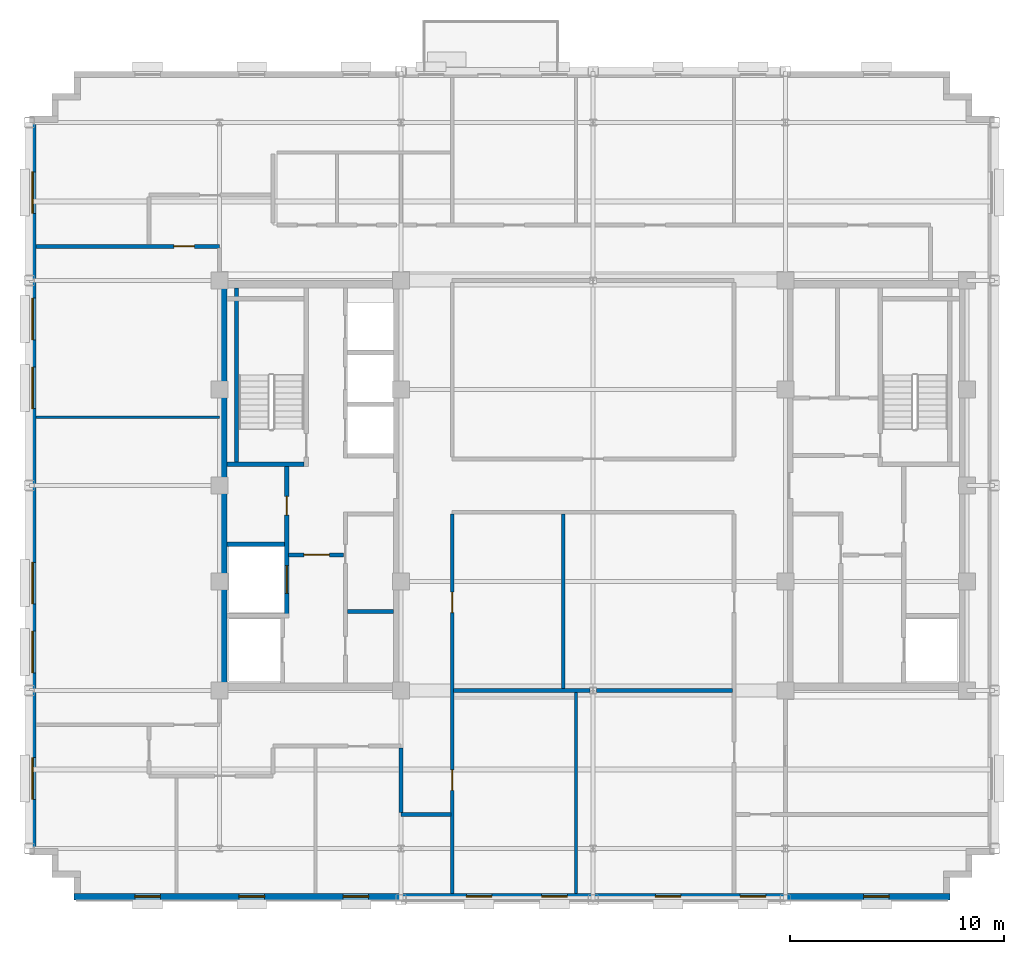
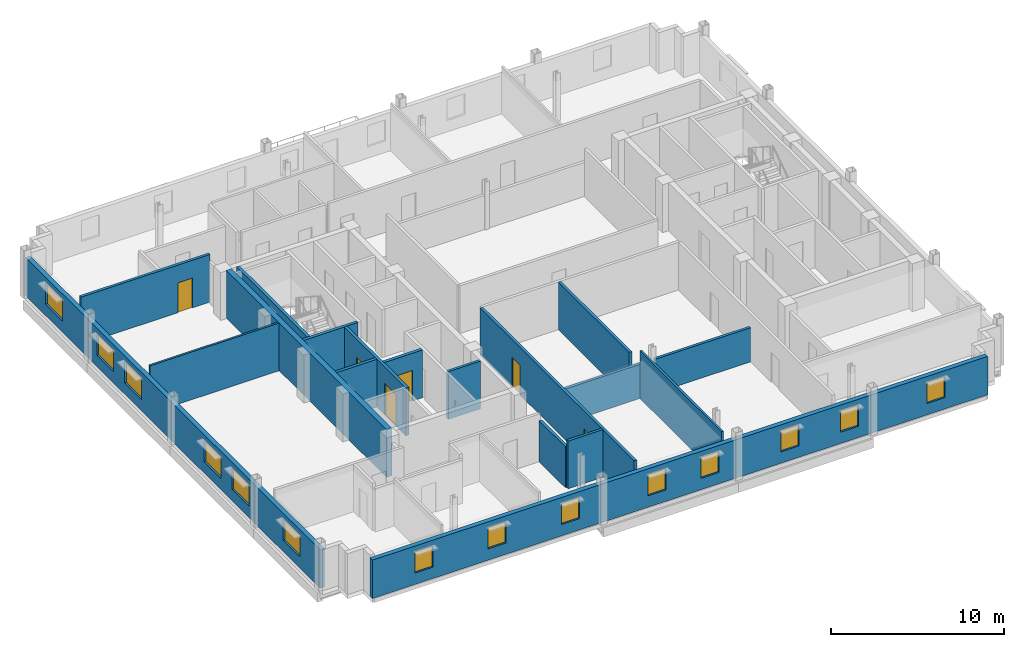
# One storey, part 6 of 14: 18 walls, 14 windows, 6 doors, 20 openings.
"""IFC4 building model written with IfcOpenShell, lengths in metres."""

from ifc_helpers import new_model, si_unit, direction, frame, frame_2d, origin, place, context, subcontext, project, spatial, rectangle, extrude, source, transform, mapped, material, layer, layer_set, type_object, type_shapes, element, fill, save


model = new_model("IFC4")

# Units and contexts
model_context = context("Model", 3, precision=1e-05, world=origin(), true_north=direction((0.0, 1.0)))
body_context = subcontext(model_context, "Body", "Model", "MODEL_VIEW")
ifc_project = project(units=[si_unit("LENGTHUNIT", "METRE"), si_unit("AREAUNIT", "SQUARE_METRE"), si_unit("VOLUMEUNIT", "CUBIC_METRE"), si_unit("PLANEANGLEUNIT", "RADIAN"), si_unit("MASSUNIT", "GRAM", prefix="KILO")], contexts=[model_context])

# Site, building, storey
site_placement = place(None, origin())
site = spatial("IfcSite", under=ifc_project, at=site_placement, CompositionType="ELEMENT")
building_placement = place(site_placement, origin())
building = spatial("IfcBuilding", under=site, at=building_placement, Name="Nuvemarco Arch Tower", CompositionType="ELEMENT")
storey_placement = place(building_placement, frame((0.0, 0.0, 238.35009765625)))
storey = spatial("IfcBuildingStorey", under=building, at=storey_placement, Name="L63", CompositionType="ELEMENT", Elevation=238.35009765625)

# Wall, openings, windows
ifc_material_1 = material(Name="Precast concrete C45/55", Category="concrete")
ifc_layer_1 = layer(ifc_material_1, 0.300048828125, Name="EW-HIGH-300")
ifc_layer_set_1 = layer_set([ifc_layer_1], Name="Precast concrete C45/55")
wall_type_1 = type_object("IfcWallType", Name="EW-HIGH-300", PredefinedType="STANDARD", material=ifc_layer_set_1)
wall_1_placement = place(storey_placement, frame((-24.300048828125, -19.25, 0.0), z_axis=(0.0, 0.0, 1.0), x_axis=(1.0, 0.0, 0.0)))
wall_1 = element("IfcWall", 1, at=wall_1_placement, inside=storey, type_object=wall_type_1, Name="L63 exterior precast facade wall 1", PredefinedType="STANDARD", context=body_context, shape_type="SweptSolid", body=[
    extrude(rectangle(XDim=41.0, YDim=0.300048828125, at=frame_2d((20.5, 0.0))), origin(), (0.0, 0.0, 1.0), 2.704833984375),
])
opening_1_placement = place(wall_1_placement, frame((2.83740234375, 0.0, 0.800048828125)))
opening_1 = element("IfcOpeningElement", 2, at=opening_1_placement, cuts=wall_1, Name="Opening WN-8", PredefinedType="OPENING", context=body_context, shape_type="SweptSolid", body=[
    extrude(rectangle(XDim=1.199951171875, YDim=1.47998046875, at=frame_2d((0.60009765625, 0.739990234375))), frame((0.0, 0.159912109375, 0.0), z_axis=(0.0, -1.0, 0.0), x_axis=(1.0, 0.0, 0.0)), (0.0, 0.0, 1.0), 0.320068359375),
])
opening_2_placement = place(wall_1_placement, frame((7.71240234375, 0.0, 0.800048828125)))
opening_2 = element("IfcOpeningElement", 3, at=opening_2_placement, cuts=wall_1, Name="Opening WN-8", PredefinedType="OPENING", context=body_context, shape_type="SweptSolid", body=[
    extrude(rectangle(XDim=1.199951171875, YDim=1.47998046875, at=frame_2d((0.60009765625, 0.739990234375))), frame((0.0, 0.159912109375, 0.0), z_axis=(0.0, -1.0, 0.0), x_axis=(1.0, 0.0, 0.0)), (0.0, 0.0, 1.0), 0.320068359375),
])
opening_3_placement = place(wall_1_placement, frame((12.58740234375, 0.0, 0.800048828125)))
opening_3 = element("IfcOpeningElement", 4, at=opening_3_placement, cuts=wall_1, Name="Opening WN-8", PredefinedType="OPENING", context=body_context, shape_type="SweptSolid", body=[
    extrude(rectangle(XDim=1.199951171875, YDim=1.47998046875, at=frame_2d((0.60009765625, 0.739990234375))), frame((0.0, 0.159912109375, 0.0), z_axis=(0.0, -1.0, 0.0), x_axis=(1.0, 0.0, 0.0)), (0.0, 0.0, 1.0), 0.320068359375),
])
opening_4_placement = place(wall_1_placement, frame((18.362548828125, 0.0, 0.800048828125)))
opening_4 = element("IfcOpeningElement", 5, at=opening_4_placement, cuts=wall_1, Name="Opening WN-8", PredefinedType="OPENING", context=body_context, shape_type="SweptSolid", body=[
    extrude(rectangle(XDim=1.199951171875, YDim=1.47998046875, at=frame_2d((0.60009765625, 0.739990234375))), frame((0.0, 0.159912109375, 0.0), z_axis=(0.0, -1.0, 0.0), x_axis=(1.0, 0.0, 0.0)), (0.0, 0.0, 1.0), 0.320068359375),
])
opening_5_placement = place(wall_1_placement, frame((21.887451171875, 0.0, 0.800048828125)))
opening_5 = element("IfcOpeningElement", 6, at=opening_5_placement, cuts=wall_1, Name="Opening WN-8", PredefinedType="OPENING", context=body_context, shape_type="SweptSolid", body=[
    extrude(rectangle(XDim=1.199951171875, YDim=1.47998046875, at=frame_2d((0.60009765625, 0.739990234375))), frame((0.0, 0.159912109375, 0.0), z_axis=(0.0, -1.0, 0.0), x_axis=(1.0, 0.0, 0.0)), (0.0, 0.0, 1.0), 0.320068359375),
])
opening_6_placement = place(wall_1_placement, frame((27.21240234375, 0.0, 0.800048828125)))
opening_6 = element("IfcOpeningElement", 7, at=opening_6_placement, cuts=wall_1, Name="Opening WN-8", PredefinedType="OPENING", context=body_context, shape_type="SweptSolid", body=[
    extrude(rectangle(XDim=1.199951171875, YDim=1.47998046875, at=frame_2d((0.60009765625, 0.739990234375))), frame((0.0, 0.159912109375, 0.0), z_axis=(0.0, -1.0, 0.0), x_axis=(1.0, 0.0, 0.0)), (0.0, 0.0, 1.0), 0.320068359375),
])
opening_7_placement = place(wall_1_placement, frame((31.1875, 0.0, 0.800048828125)))
opening_7 = element("IfcOpeningElement", 8, at=opening_7_placement, cuts=wall_1, Name="Opening WN-8", PredefinedType="OPENING", context=body_context, shape_type="SweptSolid", body=[
    extrude(rectangle(XDim=1.199951171875, YDim=1.47998046875, at=frame_2d((0.60009765625, 0.739990234375))), frame((0.0, 0.159912109375, 0.0), z_axis=(0.0, -1.0, 0.0), x_axis=(1.0, 0.0, 0.0)), (0.0, 0.0, 1.0), 0.320068359375),
])
opening_8_placement = place(wall_1_placement, frame((36.96240234375, 0.0, 0.800048828125)))
opening_8 = element("IfcOpeningElement", 9, at=opening_8_placement, cuts=wall_1, Name="Opening WN-8", PredefinedType="OPENING", context=body_context, shape_type="SweptSolid", body=[
    extrude(rectangle(XDim=1.199951171875, YDim=1.47998046875, at=frame_2d((0.60009765625, 0.739990234375))), frame((0.0, 0.159912109375, 0.0), z_axis=(0.0, -1.0, 0.0), x_axis=(1.0, 0.0, 0.0)), (0.0, 0.0, 1.0), 0.320068359375),
])
ifc_material_2 = material(Name="Insulated solar-control glass", Category="glass")
window_type_1 = type_object("IfcWindowType", Name="WN-HIGH-1200x1480", PartitioningType="SINGLE_PANEL", PredefinedType="WINDOW", material=ifc_material_2)
shared_shape_1 = source(origin(), body_context, "Body", "SweptSolid", [
    extrude(rectangle(XDim=1.199951171875, YDim=1.47998046875, at=frame_2d((0.60009765625, 0.739990234375))), frame((0.0, 0.030029296875, 0.0), z_axis=(0.0, -1.0, 0.0), x_axis=(1.0, 0.0, 0.0)), (0.0, 0.0, 1.0), 0.06005859375),
])
type_shapes(window_type_1, [shared_shape_1])
window_1_placement = place(opening_1_placement, origin())
window_1 = element("IfcWindow", 10, at=window_1_placement, inside=storey, type_object=window_type_1, Name="L63 punched facade window 1", OverallHeight=1.47998046875, OverallWidth=1.199951171875, PartitioningType="SINGLE_PANEL", PredefinedType="WINDOW", context=body_context, shape_type="MappedRepresentation", body=[
    mapped(shared_shape_1, transform((0.0, 0.0, 0.0), scale=1.0)),
])
fill(opening_1, window_1)
window_2_placement = place(opening_2_placement, origin())
window_2 = element("IfcWindow", 11, at=window_2_placement, inside=storey, type_object=window_type_1, Name="L63 punched facade window 2", OverallHeight=1.47998046875, OverallWidth=1.199951171875, PartitioningType="SINGLE_PANEL", PredefinedType="WINDOW", context=body_context, shape_type="MappedRepresentation", body=[
    mapped(shared_shape_1, transform((0.0, 0.0, 0.0), scale=1.0)),
])
fill(opening_2, window_2)
window_3_placement = place(opening_3_placement, origin())
window_3 = element("IfcWindow", 12, at=window_3_placement, inside=storey, type_object=window_type_1, Name="L63 punched facade window 3", OverallHeight=1.47998046875, OverallWidth=1.199951171875, PartitioningType="SINGLE_PANEL", PredefinedType="WINDOW", context=body_context, shape_type="MappedRepresentation", body=[
    mapped(shared_shape_1, transform((0.0, 0.0, 0.0), scale=1.0)),
])
fill(opening_3, window_3)
window_4_placement = place(opening_4_placement, origin())
window_4 = element("IfcWindow", 13, at=window_4_placement, inside=storey, type_object=window_type_1, Name="L63 punched facade window 4", OverallHeight=1.47998046875, OverallWidth=1.199951171875, PartitioningType="SINGLE_PANEL", PredefinedType="WINDOW", context=body_context, shape_type="MappedRepresentation", body=[
    mapped(shared_shape_1, transform((0.0, 0.0, 0.0), scale=1.0)),
])
fill(opening_4, window_4)
window_5_placement = place(opening_5_placement, origin())
window_5 = element("IfcWindow", 14, at=window_5_placement, inside=storey, type_object=window_type_1, Name="L63 punched facade window 5", OverallHeight=1.47998046875, OverallWidth=1.199951171875, PartitioningType="SINGLE_PANEL", PredefinedType="WINDOW", context=body_context, shape_type="MappedRepresentation", body=[
    mapped(shared_shape_1, transform((0.0, 0.0, 0.0), scale=1.0)),
])
fill(opening_5, window_5)
window_6_placement = place(opening_6_placement, origin())
window_6 = element("IfcWindow", 15, at=window_6_placement, inside=storey, type_object=window_type_1, Name="L63 punched facade window 6", OverallHeight=1.47998046875, OverallWidth=1.199951171875, PartitioningType="SINGLE_PANEL", PredefinedType="WINDOW", context=body_context, shape_type="MappedRepresentation", body=[
    mapped(shared_shape_1, transform((0.0, 0.0, 0.0), scale=1.0)),
])
fill(opening_6, window_6)
window_7_placement = place(opening_7_placement, origin())
window_7 = element("IfcWindow", 16, at=window_7_placement, inside=storey, type_object=window_type_1, Name="L63 punched facade window 7", OverallHeight=1.47998046875, OverallWidth=1.199951171875, PartitioningType="SINGLE_PANEL", PredefinedType="WINDOW", context=body_context, shape_type="MappedRepresentation", body=[
    mapped(shared_shape_1, transform((0.0, 0.0, 0.0), scale=1.0)),
])
fill(opening_7, window_7)
window_8_placement = place(opening_8_placement, origin())
window_8 = element("IfcWindow", 17, at=window_8_placement, inside=storey, type_object=window_type_1, Name="L63 punched facade window 8", OverallHeight=1.47998046875, OverallWidth=1.199951171875, PartitioningType="SINGLE_PANEL", PredefinedType="WINDOW", context=body_context, shape_type="MappedRepresentation", body=[
    mapped(shared_shape_1, transform((0.0, 0.0, 0.0), scale=1.0)),
])
fill(opening_8, window_8)

wall_2_placement = place(storey_placement, frame((-26.25, -17.00390625, 0.0), z_axis=(0.0, 0.0, 1.0), x_axis=(0.0, 1.0, 0.0)))
wall_2 = element("IfcWall", 18, at=wall_2_placement, inside=storey, type_object=wall_type_1, Name="L63 exterior precast facade wall 16", PredefinedType="STANDARD", context=body_context, shape_type="SweptSolid", body=[
    extrude(rectangle(XDim=34.0078125, YDim=0.300048828125, at=frame_2d((17.00390625, 0.0))), origin(), (0.0, 0.0, 1.0), 2.704833984375),
])
opening_9_placement = place(wall_2_placement, frame((2.311279296875, 0.0, 0.800048828125)))
opening_9 = element("IfcOpeningElement", 19, at=opening_9_placement, cuts=wall_2, Name="Opening WN-7", PredefinedType="OPENING", context=body_context, shape_type="SweptSolid", body=[
    extrude(rectangle(XDim=1.949951171875, YDim=1.47998046875, at=frame_2d((0.97509765625, 0.739990234375))), frame((0.0, 0.159912109375, 0.0), z_axis=(0.0, -1.0, 0.0), x_axis=(1.0, 0.0, 0.0)), (0.0, 0.0, 1.0), 0.320068359375),
])
opening_10_placement = place(wall_2_placement, frame((8.23388671875, 0.0, 0.800048828125)))
opening_10 = element("IfcOpeningElement", 20, at=opening_10_placement, cuts=wall_2, Name="Opening WN-7", PredefinedType="OPENING", context=body_context, shape_type="SweptSolid", body=[
    extrude(rectangle(XDim=1.949951171875, YDim=1.47998046875, at=frame_2d((0.97509765625, 0.739990234375))), frame((0.0, 0.159912109375, 0.0), z_axis=(0.0, -1.0, 0.0), x_axis=(1.0, 0.0, 0.0)), (0.0, 0.0, 1.0), 0.320068359375),
])
opening_11_placement = place(wall_2_placement, frame((11.456298828125, 0.0, 0.800048828125)))
opening_11 = element("IfcOpeningElement", 21, at=opening_11_placement, cuts=wall_2, Name="Opening WN-7", PredefinedType="OPENING", context=body_context, shape_type="SweptSolid", body=[
    extrude(rectangle(XDim=1.949951171875, YDim=1.47998046875, at=frame_2d((0.97509765625, 0.739990234375))), frame((0.0, 0.159912109375, 0.0), z_axis=(0.0, -1.0, 0.0), x_axis=(1.0, 0.0, 0.0)), (0.0, 0.0, 1.0), 0.320068359375),
])
opening_12_placement = place(wall_2_placement, frame((20.6015625, 0.0, 0.800048828125)))
opening_12 = element("IfcOpeningElement", 22, at=opening_12_placement, cuts=wall_2, Name="Opening WN-7", PredefinedType="OPENING", context=body_context, shape_type="SweptSolid", body=[
    extrude(rectangle(XDim=1.949951171875, YDim=1.47998046875, at=frame_2d((0.97509765625, 0.739990234375))), frame((0.0, 0.159912109375, 0.0), z_axis=(0.0, -1.0, 0.0), x_axis=(1.0, 0.0, 0.0)), (0.0, 0.0, 1.0), 0.320068359375),
])
opening_13_placement = place(wall_2_placement, frame((23.82421875, 0.0, 0.800048828125)))
opening_13 = element("IfcOpeningElement", 23, at=opening_13_placement, cuts=wall_2, Name="Opening WN-7", PredefinedType="OPENING", context=body_context, shape_type="SweptSolid", body=[
    extrude(rectangle(XDim=1.949951171875, YDim=1.47998046875, at=frame_2d((0.97509765625, 0.739990234375))), frame((0.0, 0.159912109375, 0.0), z_axis=(0.0, -1.0, 0.0), x_axis=(1.0, 0.0, 0.0)), (0.0, 0.0, 1.0), 0.320068359375),
])
opening_14_placement = place(wall_2_placement, frame((29.74658203125, 0.0, 0.800048828125)))
opening_14 = element("IfcOpeningElement", 24, at=opening_14_placement, cuts=wall_2, Name="Opening WN-7", PredefinedType="OPENING", context=body_context, shape_type="SweptSolid", body=[
    extrude(rectangle(XDim=1.949951171875, YDim=1.47998046875, at=frame_2d((0.97509765625, 0.739990234375))), frame((0.0, 0.159912109375, 0.0), z_axis=(0.0, -1.0, 0.0), x_axis=(1.0, 0.0, 0.0)), (0.0, 0.0, 1.0), 0.320068359375),
])
window_type_2 = type_object("IfcWindowType", Name="WN-HIGH-1950x1480", PartitioningType="DOUBLE_PANEL_VERTICAL", PredefinedType="WINDOW", material=ifc_material_2)
shared_shape_2 = source(origin(), body_context, "Body", "SweptSolid", [
    extrude(rectangle(XDim=1.949951171875, YDim=1.47998046875, at=frame_2d((0.97509765625, 0.739990234375))), frame((0.0, 0.030029296875, 0.0), z_axis=(0.0, -1.0, 0.0), x_axis=(1.0, 0.0, 0.0)), (0.0, 0.0, 1.0), 0.06005859375),
])
type_shapes(window_type_2, [shared_shape_2])
window_9_placement = place(opening_9_placement, origin())
window_9 = element("IfcWindow", 25, at=window_9_placement, inside=storey, type_object=window_type_2, Name="L63 punched facade window 1", OverallHeight=1.47998046875, OverallWidth=1.949951171875, PartitioningType="SINGLE_PANEL", PredefinedType="WINDOW", context=body_context, shape_type="MappedRepresentation", body=[
    mapped(shared_shape_2, transform((0.0, 0.0, 0.0), scale=1.0)),
])
fill(opening_9, window_9)
window_10_placement = place(opening_10_placement, origin())
window_10 = element("IfcWindow", 26, at=window_10_placement, inside=storey, type_object=window_type_2, Name="L63 punched facade window 2", OverallHeight=1.47998046875, OverallWidth=1.949951171875, PartitioningType="SINGLE_PANEL", PredefinedType="WINDOW", context=body_context, shape_type="MappedRepresentation", body=[
    mapped(shared_shape_2, transform((0.0, 0.0, 0.0), scale=1.0)),
])
fill(opening_10, window_10)
window_11_placement = place(opening_11_placement, origin())
window_11 = element("IfcWindow", 27, at=window_11_placement, inside=storey, type_object=window_type_2, Name="L63 punched facade window 3", OverallHeight=1.47998046875, OverallWidth=1.949951171875, PartitioningType="SINGLE_PANEL", PredefinedType="WINDOW", context=body_context, shape_type="MappedRepresentation", body=[
    mapped(shared_shape_2, transform((0.0, 0.0, 0.0), scale=1.0)),
])
fill(opening_11, window_11)
window_12_placement = place(opening_12_placement, origin())
window_12 = element("IfcWindow", 28, at=window_12_placement, inside=storey, type_object=window_type_2, Name="L63 punched facade window 5", OverallHeight=1.47998046875, OverallWidth=1.949951171875, PartitioningType="SINGLE_PANEL", PredefinedType="WINDOW", context=body_context, shape_type="MappedRepresentation", body=[
    mapped(shared_shape_2, transform((0.0, 0.0, 0.0), scale=1.0)),
])
fill(opening_12, window_12)
window_13_placement = place(opening_13_placement, origin())
window_13 = element("IfcWindow", 29, at=window_13_placement, inside=storey, type_object=window_type_2, Name="L63 punched facade window 6", OverallHeight=1.47998046875, OverallWidth=1.949951171875, PartitioningType="SINGLE_PANEL", PredefinedType="WINDOW", context=body_context, shape_type="MappedRepresentation", body=[
    mapped(shared_shape_2, transform((0.0, 0.0, 0.0), scale=1.0)),
])
fill(opening_13, window_13)
window_14_placement = place(opening_14_placement, origin())
window_14 = element("IfcWindow", 30, at=window_14_placement, inside=storey, type_object=window_type_2, Name="L63 punched facade window 7", OverallHeight=1.47998046875, OverallWidth=1.949951171875, PartitioningType="SINGLE_PANEL", PredefinedType="WINDOW", context=body_context, shape_type="MappedRepresentation", body=[
    mapped(shared_shape_2, transform((0.0, 0.0, 0.0), scale=1.0)),
])
fill(opening_14, window_14)

# Walls
ifc_material_3 = material(Name="Concrete C50/60", Category="concrete")
ifc_layer_2 = layer(ifc_material_3, 0.35009765625, Name="WL-CORE-350")
ifc_layer_set_2 = layer_set([ifc_layer_2], Name="Concrete C50/60")
wall_type_2 = type_object("IfcWallType", Name="WL-CORE-350", PredefinedType="SHEAR", material=ifc_layer_set_2)
wall_3_placement = place(storey_placement, frame((-17.324951171875, -9.2548828125, 0.0), z_axis=(0.0, 0.0, 1.0), x_axis=(0.0, 1.0, 0.0)))
element("IfcWall", 31, at=wall_3_placement, inside=storey, type_object=wall_type_2, Name="L63 W-core shear wall W", PredefinedType="SHEAR", context=body_context, shape_type="SweptSolid", body=[
    extrude(rectangle(XDim=18.509765625, YDim=0.35009765625, at=frame_2d((9.2548828125, 0.0))), origin(), (0.0, 0.0, 1.0), 3.369873046875),
])
ifc_material_4 = material(Name="Fire-rated gypsum drywall partition")
ifc_layer_3 = layer(ifc_material_4, 0.179931640625, Name="WL-CORR-180")
ifc_layer_set_3 = layer_set([ifc_layer_3], Name="Fire-rated gypsum drywall partition")
wall_type_3 = type_object("IfcWallType", Name="WL-CORR-180", PredefinedType="PARTITIONING", material=ifc_layer_set_3)
wall_4_placement = place(storey_placement, frame((-11.5048828125, -5.89990234375, 0.0), z_axis=(0.0, 0.0, 1.0), x_axis=(1.0, 0.0, 0.0)))
element("IfcWall", 32, at=wall_4_placement, inside=storey, type_object=wall_type_3, Name="L63 interior wall IW-L63-W-RECK3", PredefinedType="PARTITIONING", context=body_context, shape_type="SweptSolid", body=[
    extrude(rectangle(XDim=2.159912109375, YDim=0.179931640625, at=frame_2d((1.080078125, 0.0))), origin(), (0.0, 0.0, 1.0), 3.35986328125),
])
wall_5_placement = place(storey_placement, frame((-9.0, -15.39990234375, 0.0), z_axis=(0.0, 0.0, 1.0), x_axis=(1.0, 0.0, 0.0)))
element("IfcWall", 33, at=wall_5_placement, inside=storey, type_object=wall_type_3, Name="L63 interior wall IW-L63-001", PredefinedType="PARTITIONING", context=body_context, shape_type="SweptSolid", body=[
    extrude(rectangle(XDim=2.339111328125, YDim=0.179931640625, at=frame_2d((1.16943359375, 0.0))), origin(), (0.0, 0.0, 1.0), 3.35986328125),
])
wall_6_placement = place(storey_placement, frame((-6.5390625, -9.60009765625, 0.0), z_axis=(0.0, 0.0, 1.0), x_axis=(1.0, 0.0, 0.0)))
element("IfcWall", 34, at=wall_6_placement, inside=storey, type_object=wall_type_3, Name="L63 interior wall IW-L63-006", PredefinedType="PARTITIONING", context=body_context, shape_type="SweptSolid", body=[
    extrude(rectangle(XDim=6.38818359375, YDim=0.179931640625, at=frame_2d((3.194091796875, 0.0))), origin(), (0.0, 0.0, 1.0), 2.40478515625),
])
wall_7_placement = place(storey_placement, frame((0.15087890625, -9.60009765625, 0.0), z_axis=(0.0, 0.0, 1.0), x_axis=(1.0, 0.0, 0.0)))
element("IfcWall", 35, at=wall_7_placement, inside=storey, type_object=wall_type_3, Name="L63 interior wall IW-L63-007", PredefinedType="PARTITIONING", context=body_context, shape_type="SweptSolid", body=[
    extrude(rectangle(XDim=6.383056640625, YDim=0.179931640625, at=frame_2d((3.19140625, 0.0))), origin(), (0.0, 0.0, 1.0), 2.40478515625),
])

# Wall, opening, door
wall_8_placement = place(storey_placement, frame((-26.10009765625, 11.199951171875, 0.0), z_axis=(0.0, 0.0, 1.0), x_axis=(1.0, 0.0, 0.0)))
wall_8 = element("IfcWall", 36, at=wall_8_placement, inside=storey, type_object=wall_type_3, Name="L63 interior wall IW-L63-013", PredefinedType="PARTITIONING", context=body_context, shape_type="SweptSolid", body=[
    extrude(rectangle(XDim=8.60009765625, YDim=0.179931640625, at=frame_2d((4.300048828125, 0.0))), origin(), (0.0, 0.0, 1.0), 3.35986328125),
])
opening_15_placement = place(wall_8_placement, frame((6.469970703125, 0.0, 0.0)))
opening_15 = element("IfcOpeningElement", 37, at=opening_15_placement, cuts=wall_8, Name="Opening FD-5", PredefinedType="OPENING", context=body_context, shape_type="SweptSolid", body=[
    extrude(rectangle(XDim=0.9599609375, YDim=2.10009765625, at=frame_2d((0.47998046875, 1.050048828125))), frame((0.0, 0.099853515625, 0.0), z_axis=(0.0, -1.0, 0.0), x_axis=(1.0, 0.0, 0.0)), (0.0, 0.0, 1.0), 0.199951171875),
])
ifc_material_5 = material(Name="Timber fire door", Category="wood")
door_type_1 = type_object("IfcDoorType", Name="DR-CORR-FD", OperationType="NOTDEFINED", PredefinedType="DOOR", material=ifc_material_5)
shared_shape_3 = source(origin(), body_context, "Body", "SweptSolid", [
    extrude(rectangle(XDim=0.9599609375, YDim=2.10009765625, at=frame_2d((0.47998046875, 1.050048828125))), frame((0.0, 0.02490234375, 0.0), z_axis=(0.0, -1.0, 0.0), x_axis=(1.0, 0.0, 0.0)), (0.0, 0.0, 1.0), 0.050048828125),
])
type_shapes(door_type_1, [shared_shape_3])
door_1_placement = place(opening_15_placement, origin())
door_1 = element("IfcDoor", 38, at=door_1_placement, inside=storey, type_object=door_type_1, Name="L63 door DR-L63-W_2", OperationType="SINGLE_SWING_LEFT", OverallHeight=2.10009765625, OverallWidth=0.9599609375, PredefinedType="DOOR", context=body_context, shape_type="MappedRepresentation", body=[
    mapped(shared_shape_3, transform((0.0, 0.0, 0.0), scale=1.0)),
])
fill(opening_15, door_1)

# Wall
wall_9_placement = place(storey_placement, frame((-9.0, -15.31396484375, 0.0), z_axis=(0.0, 0.0, 1.0), x_axis=(0.0, 1.0, 0.0)))
element("IfcWall", 39, at=wall_9_placement, inside=storey, type_object=wall_type_3, Name="L63 interior wall IW-L63-027", PredefinedType="PARTITIONING", context=body_context, shape_type="SweptSolid", body=[
    extrude(rectangle(XDim=3.028076171875, YDim=0.179931640625, at=frame_2d((1.51416015625, 0.0))), origin(), (0.0, 0.0, 1.0), 2.891845703125),
])

# Wall, openings, doors
wall_10_placement = place(storey_placement, frame((-6.60009765625, -19.10009765625, 0.0), z_axis=(0.0, 0.0, 1.0), x_axis=(0.0, 1.0, 0.0)))
wall_10 = element("IfcWall", 40, at=wall_10_placement, inside=storey, type_object=wall_type_3, Name="L63 interior wall IW-L63-029", PredefinedType="PARTITIONING", context=body_context, shape_type="SweptSolid", body=[
    extrude(rectangle(XDim=17.76416015625, YDim=0.179931640625, at=frame_2d((8.882080078125, 0.0))), origin(), (0.0, 0.0, 1.0), 3.35986328125),
])
opening_16_placement = place(wall_10_placement, frame((13.152099609375, 0.0, 0.0)))
opening_16 = element("IfcOpeningElement", 41, at=opening_16_placement, cuts=wall_10, Name="Opening FD-5", PredefinedType="OPENING", context=body_context, shape_type="SweptSolid", body=[
    extrude(rectangle(XDim=0.9599609375, YDim=2.10009765625, at=frame_2d((0.47998046875, 1.050048828125))), frame((0.0, 0.099853515625, 0.0), z_axis=(0.0, -1.0, 0.0), x_axis=(1.0, 0.0, 0.0)), (0.0, 0.0, 1.0), 0.199951171875),
])
opening_17_placement = place(wall_10_placement, frame((4.820068359375, 0.0, 0.0)))
opening_17 = element("IfcOpeningElement", 42, at=opening_17_placement, cuts=wall_10, Name="Opening FD-5", PredefinedType="OPENING", context=body_context, shape_type="SweptSolid", body=[
    extrude(rectangle(XDim=0.9599609375, YDim=2.10009765625, at=frame_2d((0.47998046875, 1.050048828125))), frame((0.0, 0.099853515625, 0.0), z_axis=(0.0, -1.0, 0.0), x_axis=(1.0, 0.0, 0.0)), (0.0, 0.0, 1.0), 0.199951171875),
])
door_2_placement = place(opening_16_placement, origin())
door_2 = element("IfcDoor", 43, at=door_2_placement, inside=storey, type_object=door_type_1, Name="L63 door DR-L63-C_S1", OperationType="SINGLE_SWING_RIGHT", OverallHeight=2.10009765625, OverallWidth=0.9599609375, PredefinedType="DOOR", context=body_context, shape_type="MappedRepresentation", body=[
    mapped(shared_shape_3, transform((0.0, 0.0, 0.0), scale=1.0)),
])
fill(opening_16, door_2)
door_3_placement = place(opening_17_placement, origin())
door_3 = element("IfcDoor", 44, at=door_3_placement, inside=storey, type_object=door_type_1, Name="L63 door DR-L63-S_4", OperationType="SINGLE_SWING_RIGHT", OverallHeight=2.10009765625, OverallWidth=0.9599609375, PredefinedType="DOOR", context=body_context, shape_type="MappedRepresentation", body=[
    mapped(shared_shape_3, transform((0.0, 0.0, 0.0), scale=1.0)),
])
fill(opening_17, door_3)

# Walls
wall_11_placement = place(storey_placement, frame((-1.39990234375, -9.513916015625, 0.0), z_axis=(0.0, 0.0, 1.0), x_axis=(0.0, 1.0, 0.0)))
element("IfcWall", 45, at=wall_11_placement, inside=storey, type_object=wall_type_3, Name="L63 interior wall IW-L63-032", PredefinedType="PARTITIONING", context=body_context, shape_type="SweptSolid", body=[
    extrude(rectangle(XDim=8.177978515625, YDim=0.179931640625, at=frame_2d((4.0888671875, 0.0))), origin(), (0.0, 0.0, 1.0), 3.35986328125),
])
ifc_material_6 = material(Name="Glazed acoustic office partition")
ifc_layer_4 = layer(ifc_material_6, 0.1298828125, Name="WL-EXEC-130")
ifc_layer_set_4 = layer_set([ifc_layer_4], Name="Glazed acoustic office partition")
wall_type_4 = type_object("IfcWallType", Name="WL-EXEC-130", PredefinedType="PARTITIONING", material=ifc_layer_set_4)
wall_12_placement = place(storey_placement, frame((-26.10009765625, 3.199951171875, 0.0), z_axis=(0.0, 0.0, 1.0), x_axis=(1.0, 0.0, 0.0)))
element("IfcWall", 46, at=wall_12_placement, inside=storey, type_object=wall_type_4, Name="L63 interior wall IW-L63-010", PredefinedType="PARTITIONING", context=body_context, shape_type="SweptSolid", body=[
    extrude(rectangle(XDim=8.60009765625, YDim=0.1298828125, at=frame_2d((4.300048828125, 0.0))), origin(), (0.0, 0.0, 1.0), 3.35986328125),
])
ifc_material_7 = material(Name="Gypsum plasterboard partition")
ifc_layer_5 = layer(ifc_material_7, 0.139892578125, Name="WL-ROOM-140")
ifc_layer_set_5 = layer_set([ifc_layer_5], Name="Gypsum plasterboard partition")
wall_type_5 = type_object("IfcWallType", Name="WL-ROOM-140", PredefinedType="PARTITIONING", material=ifc_layer_set_5)
wall_13_placement = place(storey_placement, frame((-0.800048828125, -19.10009765625, 0.0), z_axis=(0.0, 0.0, 1.0), x_axis=(0.0, 1.0, 0.0)))
element("IfcWall", 47, at=wall_13_placement, inside=storey, type_object=wall_type_5, Name="L63 interior wall IW-L63-033", PredefinedType="PARTITIONING", context=body_context, shape_type="SweptSolid", body=[
    extrude(rectangle(XDim=9.4140625, YDim=0.139892578125, at=frame_2d((4.70703125, 0.0))), origin(), (0.0, 0.0, 1.0), 3.35986328125),
])
ifc_layer_6 = layer(ifc_material_3, 0.199951171875, Name="WL-SHAFT-220")
ifc_layer_set_6 = layer_set([ifc_layer_6], Name="Concrete C50/60")
wall_type_6 = type_object("IfcWallType", Name="WL-SHAFT-220", PredefinedType="SHEAR", material=ifc_layer_set_6)
wall_14_placement = place(storey_placement, frame((-17.155029296875, 1.0, 0.0), z_axis=(0.0, 0.0, 1.0), x_axis=(1.0, 0.0, 0.0)))
element("IfcWall", 48, at=wall_14_placement, inside=storey, type_object=wall_type_6, Name="L63 structural shaft wall SW-L63-W-ST1S", PredefinedType="SHEAR", context=body_context, shape_type="SweptSolid", body=[
    extrude(rectangle(XDim=3.6201171875, YDim=0.199951171875, at=frame_2d((1.81005859375, 0.0))), origin(), (0.0, 0.0, 1.0), 3.369873046875),
])
wall_15_placement = place(storey_placement, frame((-16.699951171875, 1.094970703125, 0.0), z_axis=(0.0, 0.0, 1.0), x_axis=(0.0, 1.0, 0.0)))
element("IfcWall", 49, at=wall_15_placement, inside=storey, type_object=wall_type_6, Name="L63 structural shaft wall SW-L63-W-ST1W", PredefinedType="SHEAR", context=body_context, shape_type="SweptSolid", body=[
    extrude(rectangle(XDim=8.159912109375, YDim=0.199951171875, at=frame_2d((4.080078125, 0.0))), origin(), (0.0, 0.0, 1.0), 3.369873046875),
])

# Wall, openings, doors
wall_16_placement = place(storey_placement, frame((-14.35009765625, -6.199951171875, 0.0), z_axis=(0.0, 0.0, 1.0), x_axis=(0.0, 1.0, 0.0)))
wall_16 = element("IfcWall", 50, at=wall_16_placement, inside=storey, type_object=wall_type_6, Name="L63 structural shaft wall SW-L63-W-SVE", PredefinedType="SHEAR", context=body_context, shape_type="SweptSolid", body=[
    extrude(rectangle(XDim=7.10498046875, YDim=0.199951171875, at=frame_2d((3.552490234375, 0.0))), origin(), (0.0, 0.0, 1.0), 3.369873046875),
])
opening_18_placement = place(wall_16_placement, frame((5.68994140625, 0.0, 0.0), z_axis=(0.0, 0.0, 1.0), x_axis=(-1.0, 0.0, 0.0)))
opening_18 = element("IfcOpeningElement", 51, at=opening_18_placement, cuts=wall_16, Name="Opening FD-4", PredefinedType="OPENING", context=body_context, shape_type="SweptSolid", body=[
    extrude(rectangle(XDim=0.8798828125, YDim=2.10009765625, at=frame_2d((0.43994140625, 1.050048828125))), frame((0.0, 0.10986328125, 0.0), z_axis=(0.0, -1.0, 0.0), x_axis=(1.0, 0.0, 0.0)), (0.0, 0.0, 1.0), 0.219970703125),
])
opening_19_placement = place(wall_16_placement, frame((1.14990234375, 0.0, 0.0)))
opening_19 = element("IfcOpeningElement", 52, at=opening_19_placement, cuts=wall_16, Name="Opening LD-3", PredefinedType="OPENING", context=body_context, shape_type="SweptSolid", body=[
    extrude(rectangle(XDim=1.300048828125, YDim=2.199951171875, at=frame_2d((0.64990234375, 1.10009765625))), frame((0.0, 0.10986328125, 0.0), z_axis=(0.0, -1.0, 0.0), x_axis=(1.0, 0.0, 0.0)), (0.0, 0.0, 1.0), 0.219970703125),
])
ifc_material_8 = material(Name="Anodised steel fire door", Category="steel")
door_type_2 = type_object("IfcDoorType", Name="DR-RISER-FD", OperationType="NOTDEFINED", PredefinedType="DOOR", material=ifc_material_8)
shared_shape_4 = source(origin(), body_context, "Body", "SweptSolid", [
    extrude(rectangle(XDim=0.8798828125, YDim=2.10009765625, at=frame_2d((0.43994140625, 1.050048828125))), frame((0.0, 0.02490234375, 0.0), z_axis=(0.0, -1.0, 0.0), x_axis=(1.0, 0.0, 0.0)), (0.0, 0.0, 1.0), 0.050048828125),
])
type_shapes(door_type_2, [shared_shape_4])
door_4_placement = place(opening_18_placement, origin())
door_4 = element("IfcDoor", 53, at=door_4_placement, inside=storey, type_object=door_type_2, Name="L63 door FD-L63-WRIS", OperationType="SINGLE_SWING_LEFT", OverallHeight=2.10009765625, OverallWidth=0.8798828125, PredefinedType="DOOR", context=body_context, shape_type="MappedRepresentation", body=[
    mapped(shared_shape_4, transform((0.0, 0.0, 0.0), scale=1.0)),
])
fill(opening_18, door_4)
ifc_material_9 = material(Name="Stainless steel lift door", Category="steel")
door_type_3 = type_object("IfcDoorType", Name="DR-LIFT-SERV", OperationType="DOUBLE_DOOR_SLIDING", PredefinedType="DOOR", material=ifc_material_9)
shared_shape_5 = source(origin(), body_context, "Body", "SweptSolid", [
    extrude(rectangle(XDim=1.300048828125, YDim=2.199951171875, at=frame_2d((0.64990234375, 1.10009765625))), frame((0.0, 0.02490234375, 0.0), z_axis=(0.0, -1.0, 0.0), x_axis=(1.0, 0.0, 0.0)), (0.0, 0.0, 1.0), 0.050048828125),
])
type_shapes(door_type_3, [shared_shape_5])
door_5_placement = place(opening_19_placement, origin())
door_5 = element("IfcDoor", 54, at=door_5_placement, inside=storey, type_object=door_type_3, Name="L63 Lift landing sliding door SVL-1", OperationType="DOUBLE_DOOR_SLIDING", OverallHeight=2.199951171875, OverallWidth=1.300048828125, PredefinedType="DOOR", context=body_context, shape_type="MappedRepresentation", body=[
    mapped(shared_shape_5, transform((0.0, 0.0, 0.0), scale=1.0)),
])
fill(opening_19, door_5)

# Wall
wall_17_placement = place(storey_placement, frame((-17.155029296875, -2.75, 0.0), z_axis=(0.0, 0.0, 1.0), x_axis=(1.0, 0.0, 0.0)))
element("IfcWall", 55, at=wall_17_placement, inside=storey, type_object=wall_type_6, Name="L63 structural shaft wall SW-L63-W-SH2", PredefinedType="SHEAR", context=body_context, shape_type="SweptSolid", body=[
    extrude(rectangle(XDim=2.7099609375, YDim=0.199951171875, at=frame_2d((1.35498046875, 0.0))), origin(), (0.0, 0.0, 1.0), 3.369873046875),
])

# Wall, opening, door
wall_18_placement = place(storey_placement, frame((-14.2548828125, -3.25, 0.0), z_axis=(0.0, 0.0, 1.0), x_axis=(1.0, 0.0, 0.0)))
wall_18 = element("IfcWall", 56, at=wall_18_placement, inside=storey, type_object=wall_type_6, Name="L63 structural shaft wall SW-L63-W-FFN", PredefinedType="SHEAR", context=body_context, shape_type="SweptSolid", body=[
    extrude(rectangle(XDim=2.559814453125, YDim=0.199951171875, at=frame_2d((1.27978515625, 0.0))), origin(), (0.0, 0.0, 1.0), 3.369873046875),
])
opening_20_placement = place(wall_18_placement, frame((0.705078125, 0.0, 0.0)))
opening_20 = element("IfcOpeningElement", 57, at=opening_20_placement, cuts=wall_18, Name="Opening FD-2", PredefinedType="OPENING", context=body_context, shape_type="SweptSolid", body=[
    extrude(rectangle(XDim=1.199951171875, YDim=2.14990234375, at=frame_2d((0.60009765625, 1.074951171875))), frame((0.0, 0.10986328125, 0.0), z_axis=(0.0, -1.0, 0.0), x_axis=(1.0, 0.0, 0.0)), (0.0, 0.0, 1.0), 0.219970703125),
])
door_type_4 = type_object("IfcDoorType", Name="DR-FFLOB-FD", OperationType="NOTDEFINED", PredefinedType="DOOR", material=ifc_material_8)
shared_shape_6 = source(origin(), body_context, "Body", "SweptSolid", [
    extrude(rectangle(XDim=1.199951171875, YDim=2.14990234375, at=frame_2d((0.60009765625, 1.074951171875))), frame((0.0, 0.02490234375, 0.0), z_axis=(0.0, -1.0, 0.0), x_axis=(1.0, 0.0, 0.0)), (0.0, 0.0, 1.0), 0.050048828125),
])
type_shapes(door_type_4, [shared_shape_6])
door_6_placement = place(opening_20_placement, origin())
door_6 = element("IfcDoor", 58, at=door_6_placement, inside=storey, type_object=door_type_4, Name="L63 door FD-L63-WFF1", OperationType="SINGLE_SWING_LEFT", OverallHeight=2.14990234375, OverallWidth=1.199951171875, PredefinedType="DOOR", context=body_context, shape_type="MappedRepresentation", body=[
    mapped(shared_shape_6, transform((0.0, 0.0, 0.0), scale=1.0)),
])
fill(opening_20, door_6)

save(model, "model.ifc")
